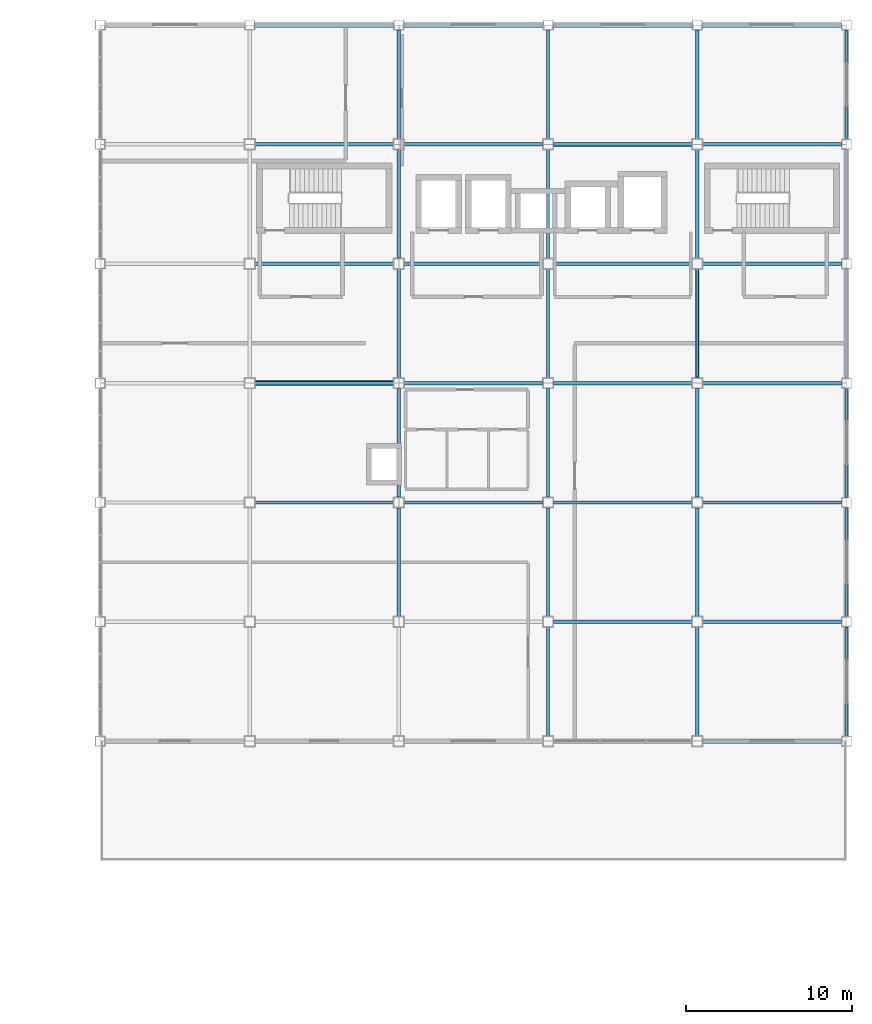
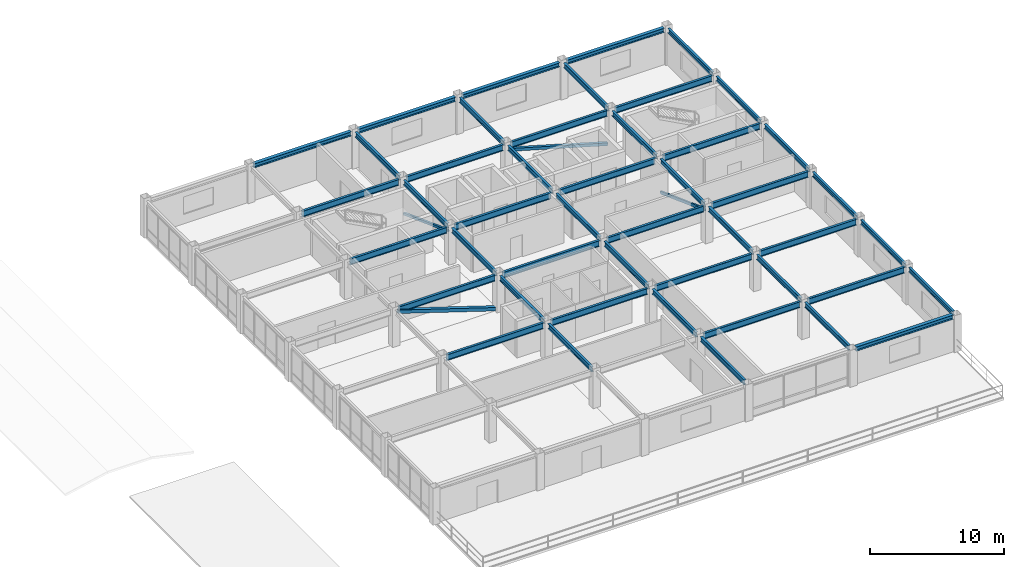
# One storey, part 23 of 34: 46 beams, 4 members.
"""IFC4 building model written with IfcOpenShell, lengths in metres."""

from ifc_helpers import new_model, si_unit, direction, frame, origin, origin_2d, place, context, subcontext, project, spatial, hollow_rectangle, i_section, extrude, material, material_profile, profile_set, type_object, element, save


model = new_model("IFC4")

# Units and contexts
model_context = context("Model", 3, precision=1e-05, world=origin(), true_north=direction((0.0, 1.0)))
body_context = subcontext(model_context, "Body", "Model", "MODEL_VIEW")
ifc_project = project(units=[si_unit("LENGTHUNIT", "METRE"), si_unit("AREAUNIT", "SQUARE_METRE"), si_unit("VOLUMEUNIT", "CUBIC_METRE"), si_unit("PLANEANGLEUNIT", "RADIAN"), si_unit("MASSUNIT", "GRAM", prefix="KILO")], contexts=[model_context])

# Site, building, storey
site_placement = place(None, origin())
site = spatial("IfcSite", under=ifc_project, at=site_placement, CompositionType="ELEMENT")
building_placement = place(site_placement, origin())
building = spatial("IfcBuilding", under=site, at=building_placement, Name="Kazanami Central Library", CompositionType="ELEMENT")
storey_placement = place(building_placement, frame((0.0, 0.0, 17.0)))
storey = spatial("IfcBuildingStorey", under=building, at=storey_placement, Name="L05", CompositionType="ELEMENT", Elevation=17.0)

# Beams
ifc_material_1 = material(Name="Steel SN490B (325 MPa)", Category="steel")
ifc_material_profile_1 = material_profile(ifc_material_1, i_section(OverallWidth=0.199951171875, OverallDepth=0.550048828125, WebThickness=0.010009765625, FlangeThickness=0.01611328125, at=origin_2d()), Name="H-550x200x10x16")
ifc_profile_set_1 = profile_set([ifc_material_profile_1], Name="Steel SN490B (325 MPa)")
beam_type_1 = type_object("IfcBeamType", Name="BM-G-X3", PredefinedType="BEAM", material=ifc_profile_set_1)
beam_1_placement = place(storey_placement, frame((144.322998046875, 57.60009765625, 3.06494140625), z_axis=(1.0, 0.0, 0.0), x_axis=(0.0, 1.0, 0.0)))
element("IfcBeam", 1, at=beam_1_placement, inside=storey, type_object=beam_type_1, Name="Girder G-X3 L05 J/17-18", PredefinedType="BEAM", context=body_context, shape_type="SweptSolid", body=[
    extrude(i_section(OverallWidth=0.199951171875, OverallDepth=0.550048828125, WebThickness=0.010009765625, FlangeThickness=0.01611328125, at=origin_2d()), origin(), (0.0, 0.0, 1.0), 8.35400390625),
])
beam_2_placement = place(storey_placement, frame((153.322998046875, 57.60009765625, 3.06494140625), z_axis=(1.0, 0.0, 0.0), x_axis=(0.0, 1.0, 0.0)))
element("IfcBeam", 2, at=beam_2_placement, inside=storey, type_object=beam_type_1, Name="Girder G-X3 L05 J/18-19", PredefinedType="BEAM", context=body_context, shape_type="SweptSolid", body=[
    extrude(i_section(OverallWidth=0.199951171875, OverallDepth=0.550048828125, WebThickness=0.010009765625, FlangeThickness=0.01611328125, at=origin_2d()), origin(), (0.0, 0.0, 1.0), 8.37890625),
])
for number, where, z_axis, x_axis, name in (
    (3, (126.322998046875, 64.800048828125, 3.06494140625), (1.0, 0.0, 0.0), (0.0, 1.0, 0.0), "Girder G-X3 L05 K/15-16"),
    (4, (135.322998046875, 64.800048828125, 3.06494140625), (1.0, 0.0, 0.0), (0.0, 1.0, 0.0), "Girder G-X3 L05 K/16-17"),
    (5, (144.322998046875, 64.800048828125, 3.06494140625), (1.0, 0.0, 0.0), (0.0, 1.0, 0.0), "Girder G-X3 L05 K/17-18"),
):
    element("IfcBeam", number, at=place(storey_placement, frame(where, z_axis=z_axis, x_axis=x_axis)), inside=storey, type_object=beam_type_1, Name=name, PredefinedType="BEAM", context=body_context, shape_type="SweptSolid", body=[
        extrude(i_section(OverallWidth=0.199951171875, OverallDepth=0.550048828125, WebThickness=0.010009765625, FlangeThickness=0.01611328125, at=origin_2d()), origin(), (0.0, 0.0, 1.0), 8.35400390625),
    ])
beam_3_placement = place(storey_placement, frame((153.322998046875, 64.800048828125, 3.06494140625), z_axis=(1.0, 0.0, 0.0), x_axis=(0.0, 1.0, 0.0)))
element("IfcBeam", 6, at=beam_3_placement, inside=storey, type_object=beam_type_1, Name="Girder G-X3 L05 K/18-19", PredefinedType="BEAM", context=body_context, shape_type="SweptSolid", body=[
    extrude(i_section(OverallWidth=0.199951171875, OverallDepth=0.550048828125, WebThickness=0.010009765625, FlangeThickness=0.01611328125, at=origin_2d()), origin(), (0.0, 0.0, 1.0), 8.37890625),
])
for number, where, z_axis, x_axis, name in (
    (7, (126.322998046875, 72.0, 3.06494140625), (1.0, 0.0, 0.0), (0.0, 1.0, 0.0), "Girder G-X3 L05 L/15-16"),
    (8, (135.322998046875, 72.0, 3.06494140625), (1.0, 0.0, 0.0), (0.0, 1.0, 0.0), "Girder G-X3 L05 L/16-17"),
    (9, (144.322998046875, 72.0, 3.06494140625), (1.0, 0.0, 0.0), (0.0, 1.0, 0.0), "Girder G-X3 L05 L/17-18"),
):
    element("IfcBeam", number, at=place(storey_placement, frame(where, z_axis=z_axis, x_axis=x_axis)), inside=storey, type_object=beam_type_1, Name=name, PredefinedType="BEAM", context=body_context, shape_type="SweptSolid", body=[
        extrude(i_section(OverallWidth=0.199951171875, OverallDepth=0.550048828125, WebThickness=0.010009765625, FlangeThickness=0.01611328125, at=origin_2d()), origin(), (0.0, 0.0, 1.0), 8.35400390625),
    ])
beam_4_placement = place(storey_placement, frame((153.322998046875, 72.0, 3.06494140625), z_axis=(1.0, 0.0, 0.0), x_axis=(0.0, 1.0, 0.0)))
element("IfcBeam", 10, at=beam_4_placement, inside=storey, type_object=beam_type_1, Name="Girder G-X3 L05 L/18-19", PredefinedType="BEAM", context=body_context, shape_type="SweptSolid", body=[
    extrude(i_section(OverallWidth=0.199951171875, OverallDepth=0.550048828125, WebThickness=0.010009765625, FlangeThickness=0.01611328125, at=origin_2d()), origin(), (0.0, 0.0, 1.0), 8.37890625),
])
for number, where, z_axis, x_axis, name in (
    (11, (126.322998046875, 79.199951171875, 3.06494140625), (1.0, 0.0, 0.0), (0.0, 1.0, 0.0), "Girder G-X3 L05 M/15-16"),
    (12, (135.322998046875, 79.199951171875, 3.06494140625), (1.0, 0.0, 0.0), (0.0, 1.0, 0.0), "Girder G-X3 L05 M/16-17"),
    (13, (144.322998046875, 79.199951171875, 3.06494140625), (1.0, 0.0, 0.0), (0.0, 1.0, 0.0), "Girder G-X3 L05 M/17-18"),
):
    element("IfcBeam", number, at=place(storey_placement, frame(where, z_axis=z_axis, x_axis=x_axis)), inside=storey, type_object=beam_type_1, Name=name, PredefinedType="BEAM", context=body_context, shape_type="SweptSolid", body=[
        extrude(i_section(OverallWidth=0.199951171875, OverallDepth=0.550048828125, WebThickness=0.010009765625, FlangeThickness=0.01611328125, at=origin_2d()), origin(), (0.0, 0.0, 1.0), 8.35400390625),
    ])
beam_5_placement = place(storey_placement, frame((153.322998046875, 79.199951171875, 3.06494140625), z_axis=(1.0, 0.0, 0.0), x_axis=(0.0, 1.0, 0.0)))
element("IfcBeam", 14, at=beam_5_placement, inside=storey, type_object=beam_type_1, Name="Girder G-X3 L05 M/18-19", PredefinedType="BEAM", context=body_context, shape_type="SweptSolid", body=[
    extrude(i_section(OverallWidth=0.199951171875, OverallDepth=0.550048828125, WebThickness=0.010009765625, FlangeThickness=0.01611328125, at=origin_2d()), origin(), (0.0, 0.0, 1.0), 8.37890625),
])
for number, where, z_axis, x_axis, name in (
    (15, (126.322998046875, 86.39990234375, 3.06494140625), (1.0, 0.0, 0.0), (0.0, 1.0, 0.0), "Girder G-X3 L05 N/15-16"),
    (16, (135.322998046875, 86.39990234375, 3.06494140625), (1.0, 0.0, 0.0), (0.0, 1.0, 0.0), "Girder G-X3 L05 N/16-17"),
    (17, (144.322998046875, 86.39990234375, 3.06494140625), (1.0, 0.0, 0.0), (0.0, 1.0, 0.0), "Girder G-X3 L05 N/17-18"),
):
    element("IfcBeam", number, at=place(storey_placement, frame(where, z_axis=z_axis, x_axis=x_axis)), inside=storey, type_object=beam_type_1, Name=name, PredefinedType="BEAM", context=body_context, shape_type="SweptSolid", body=[
        extrude(i_section(OverallWidth=0.199951171875, OverallDepth=0.550048828125, WebThickness=0.010009765625, FlangeThickness=0.01611328125, at=origin_2d()), origin(), (0.0, 0.0, 1.0), 8.35400390625),
    ])
beam_6_placement = place(storey_placement, frame((153.322998046875, 86.39990234375, 3.06494140625), z_axis=(1.0, 0.0, 0.0), x_axis=(0.0, 1.0, 0.0)))
element("IfcBeam", 18, at=beam_6_placement, inside=storey, type_object=beam_type_1, Name="Girder G-X3 L05 N/18-19", PredefinedType="BEAM", context=body_context, shape_type="SweptSolid", body=[
    extrude(i_section(OverallWidth=0.199951171875, OverallDepth=0.550048828125, WebThickness=0.010009765625, FlangeThickness=0.01611328125, at=origin_2d()), origin(), (0.0, 0.0, 1.0), 8.37890625),
])
ifc_material_profile_2 = material_profile(ifc_material_1, i_section(OverallWidth=0.199951171875, OverallDepth=0.449951171875, WebThickness=0.009033203125, FlangeThickness=0.013916015625, at=origin_2d()), Name="H-450x200x9x14")
ifc_profile_set_2 = profile_set([ifc_material_profile_2], Name="Steel SN490B (325 MPa)")
beam_type_2 = type_object("IfcBeamType", Name="BM-G-Y3", PredefinedType="BEAM", material=ifc_profile_set_2)
for number, where, z_axis, x_axis, name in (
    (19, (135.0, 57.923095703125, 3.114990234375), (0.0, 1.0, 0.0), (-1.0, 0.0, 0.0), "Girder G-Y3 L05 16/J-K"),
    (20, (135.0, 65.123046875, 3.114990234375), (0.0, 1.0, 0.0), (-1.0, 0.0, 0.0), "Girder G-Y3 L05 16/K-L"),
    (21, (135.0, 72.322998046875, 3.114990234375), (0.0, 1.0, 0.0), (-1.0, 0.0, 0.0), "Girder G-Y3 L05 16/L-M"),
    (22, (135.0, 79.52294921875, 3.114990234375), (0.0, 1.0, 0.0), (-1.0, 0.0, 0.0), "Girder G-Y3 L05 16/M-N"),
):
    element("IfcBeam", number, at=place(storey_placement, frame(where, z_axis=z_axis, x_axis=x_axis)), inside=storey, type_object=beam_type_2, Name=name, PredefinedType="BEAM", context=body_context, shape_type="SweptSolid", body=[
        extrude(i_section(OverallWidth=0.199951171875, OverallDepth=0.449951171875, WebThickness=0.009033203125, FlangeThickness=0.013916015625, at=origin_2d()), origin(), (0.0, 0.0, 1.0), 6.553955078125),
    ])
beam_7_placement = place(storey_placement, frame((135.0, 86.722900390625, 3.114990234375), z_axis=(0.0, 1.0, 0.0), x_axis=(-1.0, 0.0, 0.0)))
element("IfcBeam", 23, at=beam_7_placement, inside=storey, type_object=beam_type_2, Name="Girder G-Y3 L05 16/N-O", PredefinedType="BEAM", context=body_context, shape_type="SweptSolid", body=[
    extrude(i_section(OverallWidth=0.199951171875, OverallDepth=0.449951171875, WebThickness=0.009033203125, FlangeThickness=0.013916015625, at=origin_2d()), origin(), (0.0, 0.0, 1.0), 6.5791015625),
])
beam_8_placement = place(storey_placement, frame((144.0, 50.722900390625, 3.135009765625), z_axis=(0.0, 1.0, 0.0), x_axis=(-1.0, 0.0, 0.0)))
element("IfcBeam", 24, at=beam_8_placement, inside=storey, type_object=beam_type_2, Name="Girder G-Y3 L05 17/H-J", PredefinedType="BEAM", context=body_context, shape_type="SweptSolid", body=[
    extrude(i_section(OverallWidth=0.199951171875, OverallDepth=0.449951171875, WebThickness=0.009033203125, FlangeThickness=0.013916015625, at=origin_2d()), origin(), (0.0, 0.0, 1.0), 6.55419921875),
])
for number, where, z_axis, x_axis, name in (
    (25, (144.0, 57.923095703125, 3.114990234375), (0.0, 1.0, 0.0), (-1.0, 0.0, 0.0), "Girder G-Y3 L05 17/J-K"),
    (26, (144.0, 65.123046875, 3.114990234375), (0.0, 1.0, 0.0), (-1.0, 0.0, 0.0), "Girder G-Y3 L05 17/K-L"),
    (27, (144.0, 72.322998046875, 3.114990234375), (0.0, 1.0, 0.0), (-1.0, 0.0, 0.0), "Girder G-Y3 L05 17/L-M"),
    (28, (144.0, 79.52294921875, 3.114990234375), (0.0, 1.0, 0.0), (-1.0, 0.0, 0.0), "Girder G-Y3 L05 17/M-N"),
):
    element("IfcBeam", number, at=place(storey_placement, frame(where, z_axis=z_axis, x_axis=x_axis)), inside=storey, type_object=beam_type_2, Name=name, PredefinedType="BEAM", context=body_context, shape_type="SweptSolid", body=[
        extrude(i_section(OverallWidth=0.199951171875, OverallDepth=0.449951171875, WebThickness=0.009033203125, FlangeThickness=0.013916015625, at=origin_2d()), origin(), (0.0, 0.0, 1.0), 6.553955078125),
    ])
beam_9_placement = place(storey_placement, frame((144.0, 86.722900390625, 3.114990234375), z_axis=(0.0, 1.0, 0.0), x_axis=(-1.0, 0.0, 0.0)))
element("IfcBeam", 29, at=beam_9_placement, inside=storey, type_object=beam_type_2, Name="Girder G-Y3 L05 17/N-O", PredefinedType="BEAM", context=body_context, shape_type="SweptSolid", body=[
    extrude(i_section(OverallWidth=0.199951171875, OverallDepth=0.449951171875, WebThickness=0.009033203125, FlangeThickness=0.013916015625, at=origin_2d()), origin(), (0.0, 0.0, 1.0), 6.5791015625),
])
beam_10_placement = place(storey_placement, frame((153.0, 50.722900390625, 3.135009765625), z_axis=(0.0, 1.0, 0.0), x_axis=(-1.0, 0.0, 0.0)))
element("IfcBeam", 30, at=beam_10_placement, inside=storey, type_object=beam_type_2, Name="Girder G-Y3 L05 18/H-J", PredefinedType="BEAM", context=body_context, shape_type="SweptSolid", body=[
    extrude(i_section(OverallWidth=0.199951171875, OverallDepth=0.449951171875, WebThickness=0.009033203125, FlangeThickness=0.013916015625, at=origin_2d()), origin(), (0.0, 0.0, 1.0), 6.55419921875),
])
for number, where, z_axis, x_axis, name in (
    (31, (153.0, 57.923095703125, 3.114990234375), (0.0, 1.0, 0.0), (-1.0, 0.0, 0.0), "Girder G-Y3 L05 18/J-K"),
    (32, (153.0, 65.123046875, 3.114990234375), (0.0, 1.0, 0.0), (-1.0, 0.0, 0.0), "Girder G-Y3 L05 18/K-L"),
    (33, (153.0, 72.322998046875, 3.114990234375), (0.0, 1.0, 0.0), (-1.0, 0.0, 0.0), "Girder G-Y3 L05 18/L-M"),
    (34, (153.0, 79.52294921875, 3.114990234375), (0.0, 1.0, 0.0), (-1.0, 0.0, 0.0), "Girder G-Y3 L05 18/M-N"),
):
    element("IfcBeam", number, at=place(storey_placement, frame(where, z_axis=z_axis, x_axis=x_axis)), inside=storey, type_object=beam_type_2, Name=name, PredefinedType="BEAM", context=body_context, shape_type="SweptSolid", body=[
        extrude(i_section(OverallWidth=0.199951171875, OverallDepth=0.449951171875, WebThickness=0.009033203125, FlangeThickness=0.013916015625, at=origin_2d()), origin(), (0.0, 0.0, 1.0), 6.553955078125),
    ])
beam_11_placement = place(storey_placement, frame((153.0, 86.722900390625, 3.114990234375), z_axis=(0.0, 1.0, 0.0), x_axis=(-1.0, 0.0, 0.0)))
element("IfcBeam", 35, at=beam_11_placement, inside=storey, type_object=beam_type_2, Name="Girder G-Y3 L05 18/N-O", PredefinedType="BEAM", context=body_context, shape_type="SweptSolid", body=[
    extrude(i_section(OverallWidth=0.199951171875, OverallDepth=0.449951171875, WebThickness=0.009033203125, FlangeThickness=0.013916015625, at=origin_2d()), origin(), (0.0, 0.0, 1.0), 6.5791015625),
])
ifc_material_profile_3 = material_profile(ifc_material_1, i_section(OverallWidth=0.199951171875, OverallDepth=0.39990234375, WebThickness=0.008056640625, FlangeThickness=0.012939453125, at=origin_2d()), Name="H-400x200x8x13")
ifc_profile_set_3 = profile_set([ifc_material_profile_3], Name="Steel SN490B (325 MPa)")
beam_type_3 = type_object("IfcBeamType", Name="BM-SP-3", PredefinedType="SPANDREL", material=ifc_profile_set_3)
for number, where, z_axis, x_axis, name in (
    (36, (162.0, 50.697998046875, 3.159912109375), (0.0, 1.0, 0.0), (-1.0, 0.0, 0.0), "Girder SP-3 L05 19/H-J"),
    (37, (162.0, 57.89794921875, 3.139892578125), (0.0, 1.0, 0.0), (-1.0, 0.0, 0.0), "Girder SP-3 L05 19/J-K"),
    (38, (162.0, 65.097900390625, 3.139892578125), (0.0, 1.0, 0.0), (-1.0, 0.0, 0.0), "Girder SP-3 L05 19/K-L"),
    (39, (162.0, 72.298095703125, 3.139892578125), (0.0, 1.0, 0.0), (-1.0, 0.0, 0.0), "Girder SP-3 L05 19/L-M"),
    (40, (162.0, 79.498046875, 3.139892578125), (0.0, 1.0, 0.0), (-1.0, 0.0, 0.0), "Girder SP-3 L05 19/M-N"),
    (41, (162.0, 86.697998046875, 3.139892578125), (0.0, 1.0, 0.0), (-1.0, 0.0, 0.0), "Girder SP-3 L05 19/N-O"),
):
    element("IfcBeam", number, at=place(storey_placement, frame(where, z_axis=z_axis, x_axis=x_axis)), inside=storey, type_object=beam_type_3, Name=name, PredefinedType="SPANDREL", context=body_context, shape_type="SweptSolid", body=[
        extrude(i_section(OverallWidth=0.199951171875, OverallDepth=0.39990234375, WebThickness=0.008056640625, FlangeThickness=0.012939453125, at=origin_2d()), origin(), (0.0, 0.0, 1.0), 6.60400390625),
    ])
ifc_material_profile_4 = material_profile(ifc_material_1, i_section(OverallWidth=0.300048828125, OverallDepth=0.389892578125, WebThickness=0.010009765625, FlangeThickness=0.01611328125, at=origin_2d()), Name="H-390x300x10x16")
ifc_profile_set_4 = profile_set([ifc_material_profile_4], Name="Steel SN490B (325 MPa)")
beam_type_4 = type_object("IfcBeamType", Name="BM-SP-4", PredefinedType="SPANDREL", material=ifc_profile_set_4)
beam_12_placement = place(storey_placement, frame((153.322998046875, 50.39990234375, 3.1650390625), z_axis=(1.0, 0.0, 0.0), x_axis=(0.0, 1.0, 0.0)))
element("IfcBeam", 42, at=beam_12_placement, inside=storey, type_object=beam_type_4, Name="Girder SP-4 L05 H/18-19", PredefinedType="SPANDREL", context=body_context, shape_type="SweptSolid", body=[
    extrude(i_section(OverallWidth=0.300048828125, OverallDepth=0.389892578125, WebThickness=0.010009765625, FlangeThickness=0.01611328125, at=origin_2d()), origin(), (0.0, 0.0, 1.0), 8.37890625),
])
for number, where, z_axis, x_axis, name in (
    (43, (126.298095703125, 93.60009765625, 3.14501953125), (1.0, 0.0, 0.0), (0.0, 1.0, 0.0), "Girder SP-4 L05 O/15-16"),
    (44, (135.298095703125, 93.60009765625, 3.14501953125), (1.0, 0.0, 0.0), (0.0, 1.0, 0.0), "Girder SP-4 L05 O/16-17"),
    (45, (144.298095703125, 93.60009765625, 3.14501953125), (1.0, 0.0, 0.0), (0.0, 1.0, 0.0), "Girder SP-4 L05 O/17-18"),
    (46, (153.298095703125, 93.60009765625, 3.14501953125), (1.0, 0.0, 0.0), (0.0, 1.0, 0.0), "Girder SP-4 L05 O/18-19"),
):
    element("IfcBeam", number, at=place(storey_placement, frame(where, z_axis=z_axis, x_axis=x_axis)), inside=storey, type_object=beam_type_4, Name=name, PredefinedType="SPANDREL", context=body_context, shape_type="SweptSolid", body=[
        extrude(i_section(OverallWidth=0.300048828125, OverallDepth=0.389892578125, WebThickness=0.010009765625, FlangeThickness=0.01611328125, at=origin_2d()), origin(), (0.0, 0.0, 1.0), 8.40380859375),
    ])

# Members
ifc_material_2 = material(Name="Steel STK490 (315 MPa)", Category="steel")
ifc_material_profile_5 = material_profile(ifc_material_2, hollow_rectangle(XDim=0.300048828125, YDim=0.300048828125, WallThickness=0.011962890625, at=origin_2d()), Name="STKR-300x300x12")
ifc_profile_set_5 = profile_set([ifc_material_profile_5], Name="Steel STK490 (315 MPa)")
member_type_1 = type_object("IfcMemberType", Name="MEM-BR-06", PredefinedType="BRACE", material=ifc_profile_set_5)
member_1_placement = place(storey_placement, frame((134.675048828125, 72.0, 0.25), z_axis=(-0.951829724569, 0.0, 0.306627095062), x_axis=(0.0, -1.0, 0.0)))
element("IfcMember", 47, at=member_1_placement, inside=storey, type_object=member_type_1, Name="Concentric Steel Brace BR-06 L05 BF-V2A", PredefinedType="BRACE", context=body_context, shape_type="SweptSolid", body=[
    extrude(hollow_rectangle(XDim=0.300048828125, YDim=0.300048828125, WallThickness=0.011962890625, at=origin_2d()), origin(), (0.0, 0.0, 1.0), 8.772705078125),
])
ifc_material_profile_6 = material_profile(ifc_material_2, hollow_rectangle(XDim=0.25, YDim=0.25, WallThickness=0.011962890625, at=origin_2d()), Name="STKR-250x250x12")
ifc_profile_set_6 = profile_set([ifc_material_profile_6], Name="Steel STK490 (315 MPa)")
member_type_2 = type_object("IfcMemberType", Name="MEM-BR-07", PredefinedType="BRACE", material=ifc_profile_set_6)
member_2_placement = place(storey_placement, frame((152.675048828125, 86.39990234375, 0.25), z_axis=(-0.960785890373, 0.0, 0.277291314072), x_axis=(0.0, -1.0, 0.0)))
element("IfcMember", 48, at=member_2_placement, inside=storey, type_object=member_type_2, Name="Concentric Steel Brace BR-07 L05 BF-V2B", PredefinedType="BRACE", context=body_context, shape_type="SweptSolid", body=[
    extrude(hollow_rectangle(XDim=0.25, YDim=0.25, WallThickness=0.011962890625, at=origin_2d()), origin(), (0.0, 0.0, 1.0), 8.69091796875),
])
ifc_material_profile_7 = material_profile(ifc_material_2, hollow_rectangle(XDim=0.199951171875, YDim=0.199951171875, WallThickness=0.009033203125, at=origin_2d()), Name="STKR-200x200x9")
ifc_profile_set_7 = profile_set([ifc_material_profile_7], Name="Steel STK490 (315 MPa)")
member_type_3 = type_object("IfcMemberType", Name="MEM-BR-08", PredefinedType="BRACE", material=ifc_profile_set_7)
member_3_placement = place(storey_placement, frame((135.0, 86.074951171875, 0.25), z_axis=(0.0, -0.93849472287, 0.345293578197), x_axis=(1.0, 0.0, 0.0)))
element("IfcMember", 49, at=member_3_placement, inside=storey, type_object=member_type_3, Name="Concentric Steel Brace BR-08 L05 BF-V2C", PredefinedType="BRACE", context=body_context, shape_type="SweptSolid", body=[
    extrude(hollow_rectangle(XDim=0.199951171875, YDim=0.199951171875, WallThickness=0.009033203125, at=origin_2d()), origin(), (0.0, 0.0, 1.0), 6.979248046875),
])
ifc_material_profile_8 = material_profile(ifc_material_2, hollow_rectangle(XDim=0.14990234375, YDim=0.25, WallThickness=0.009033203125, at=origin_2d()), Name="STKR-250x150x9")
ifc_profile_set_8 = profile_set([ifc_material_profile_8], Name="Steel STK490 (315 MPa)")
member_type_4 = type_object("IfcMemberType", Name="MEM-BR-09", PredefinedType="BRACE", material=ifc_profile_set_8)
member_4_placement = place(storey_placement, frame((153.0, 78.875, 0.25), z_axis=(0.0, -0.93849472287, 0.345293578197), x_axis=(1.0, 0.0, 0.0)))
element("IfcMember", 50, at=member_4_placement, inside=storey, type_object=member_type_4, Name="Concentric Steel Brace BR-09 L05 BF-V2D", PredefinedType="BRACE", context=body_context, shape_type="SweptSolid", body=[
    extrude(hollow_rectangle(XDim=0.14990234375, YDim=0.25, WallThickness=0.009033203125, at=origin_2d()), origin(), (0.0, 0.0, 1.0), 6.979248046875),
])

save(model, "model.ifc")
